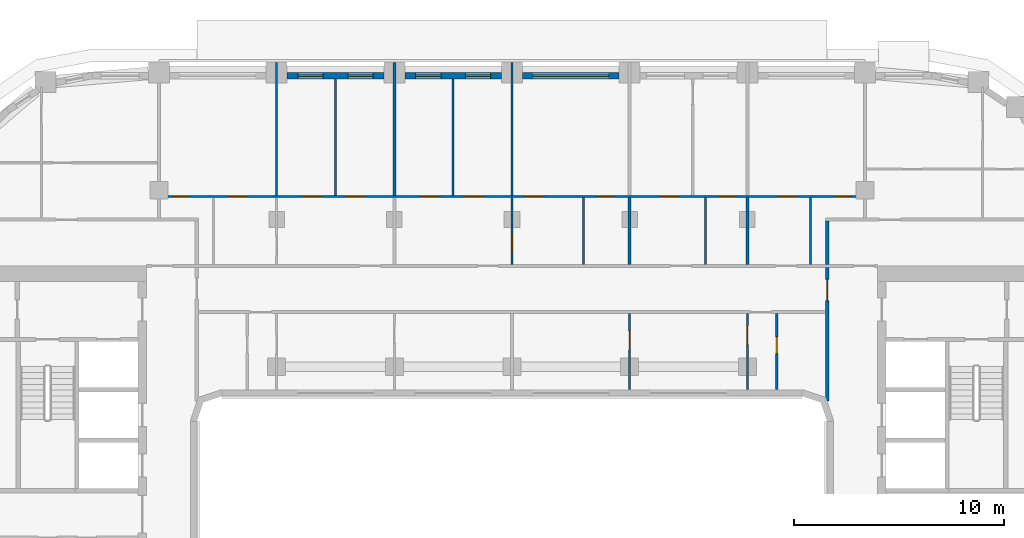
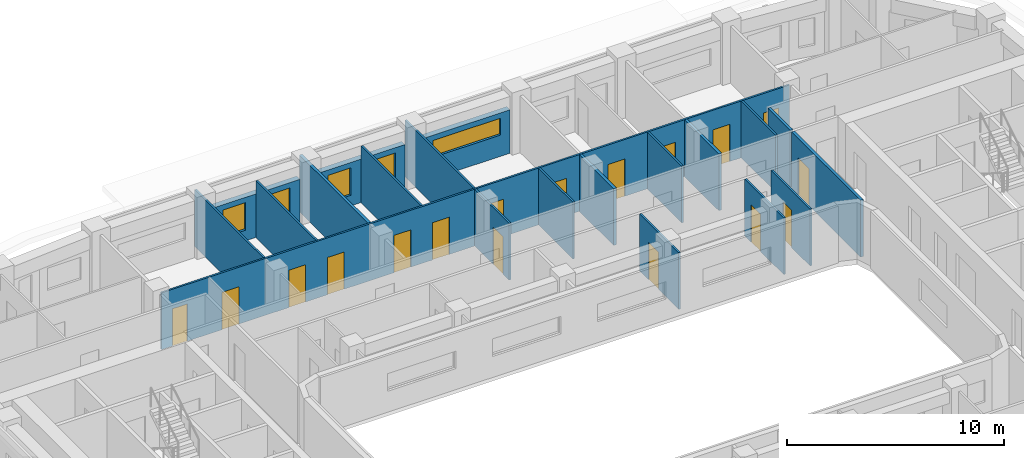
# One storey, part 8 of 22: 20 walls, 17 doors, 5 windows, 22 openings.
"""IFC4 building model written with IfcOpenShell, lengths in metres."""

from ifc_helpers import new_model, si_unit, direction, frame, frame_2d, origin, place, context, subcontext, project, spatial, rectangle, extrude, material, layer, layer_set, type_object, element, fill, save


model = new_model("IFC4")

# Units and contexts
model_context = context("Model", 3, precision=1e-05, world=origin(), true_north=direction((0.0, 1.0)))
body_context = subcontext(model_context, "Body", "Model", "MODEL_VIEW")
ifc_project = project(units=[si_unit("LENGTHUNIT", "METRE"), si_unit("AREAUNIT", "SQUARE_METRE"), si_unit("VOLUMEUNIT", "CUBIC_METRE"), si_unit("PLANEANGLEUNIT", "RADIAN"), si_unit("MASSUNIT", "GRAM", prefix="KILO")], contexts=[model_context])

# Site, building, storey
site_placement = place(None, origin())
site = spatial("IfcSite", under=ifc_project, at=site_placement, CompositionType="ELEMENT")
building_placement = place(site_placement, origin())
building = spatial("IfcBuilding", under=site, at=building_placement, Name="Kiln Ring Residences", CompositionType="ELEMENT")
storey_placement = place(building_placement, frame((0.0, 0.0, 167.60009765625)))
storey = spatial("IfcBuildingStorey", under=building, at=storey_placement, Name="L43", CompositionType="ELEMENT", Elevation=167.60009765625)

# Wall, opening, window
ifc_material_1 = material(Name="Brick masonry, dark clay brick", Category="masonry")
ifc_layer_1 = layer(ifc_material_1, 0.300048828125)
ifc_layer_set_1 = layer_set([ifc_layer_1], Name="EW-300 BRICK WALL")
wall_type_1 = type_object("IfcWallType", Name="EW-300 BRICK WALL", PredefinedType="SOLIDWALL", material=ifc_layer_set_1)
wall_1_placement = place(storey_placement, frame((5.10009765625, 22.25, 0.0), z_axis=(0.0, 0.0, 1.0), x_axis=(-1.0, 0.0, 0.0)))
wall_1 = element("IfcWall", 1, at=wall_1_placement, inside=storey, type_object=wall_type_1, Name="Facade wall L43 31", PredefinedType="SOLIDWALL", context=body_context, shape_type="SweptSolid", body=[
    extrude(rectangle(XDim=4.60009765625, YDim=0.300048828125, at=frame_2d((2.300048828125, 0.0))), origin(), (0.0, 0.0, 1.0), 2.449951171875),
])
opening_1_placement = place(wall_1_placement, frame((0.5, 0.0, 1.199951171875)))
opening_1 = element("IfcOpeningElement", 2, at=opening_1_placement, cuts=wall_1, Name="Opening W4", PredefinedType="OPENING", context=body_context, shape_type="SweptSolid", body=[
    extrude(rectangle(XDim=3.60009765625, YDim=0.949951171875, at=frame_2d((1.800048828125, 0.47509765625))), frame((0.0, 0.159912109375, 0.0), z_axis=(0.0, -1.0, 0.0), x_axis=(1.0, 0.0, 0.0)), (0.0, 0.0, 1.0), 0.320068359375),
])
ifc_material_2 = material(Name="Aluminium frame with double glazing", Category="aluminium")
window_type_1 = type_object("IfcWindowType", Name="WINDOW 3600 x 950", PartitioningType="SINGLE_PANEL", PredefinedType="WINDOW", material=ifc_material_2)
window_1_placement = place(opening_1_placement, origin())
window_1 = element("IfcWindow", 3, at=window_1_placement, inside=storey, type_object=window_type_1, Name="Window L43 20", OverallHeight=0.949951171875, OverallWidth=3.60009765625, PartitioningType="SINGLE_PANEL", PredefinedType="WINDOW", context=body_context, shape_type="SweptSolid", body=[
    extrude(rectangle(XDim=3.60009765625, YDim=0.949951171875, at=frame_2d((1.800048828125, 0.47509765625))), frame((0.0, 0.030029296875, 0.0), z_axis=(0.0, -1.0, 0.0), x_axis=(1.0, 0.0, 0.0)), (0.0, 0.0, 1.0), 0.06005859375),
])
fill(opening_1, window_1)

# Wall, openings, windows
wall_2_placement = place(storey_placement, frame((-0.5, 22.25, 0.0), z_axis=(0.0, 0.0, 1.0), x_axis=(-1.0, 0.0, 0.0)))
wall_2 = element("IfcWall", 4, at=wall_2_placement, inside=storey, type_object=wall_type_1, Name="Facade wall L43 32", PredefinedType="SOLIDWALL", context=body_context, shape_type="SweptSolid", body=[
    extrude(rectangle(XDim=4.60009765625, YDim=0.300048828125, at=frame_2d((2.300048828125, 0.0))), origin(), (0.0, 0.0, 1.0), 2.449951171875),
])
opening_2_placement = place(wall_2_placement, frame((0.512451171875, 0.0, 0.60009765625)))
opening_2 = element("IfcOpeningElement", 5, at=opening_2_placement, cuts=wall_2, Name="Opening W1", PredefinedType="OPENING", context=body_context, shape_type="SweptSolid", body=[
    extrude(rectangle(XDim=1.199951171875, YDim=1.550048828125, at=frame_2d((0.60009765625, 0.77490234375))), frame((0.0, 0.159912109375, 0.0), z_axis=(0.0, -1.0, 0.0), x_axis=(1.0, 0.0, 0.0)), (0.0, 0.0, 1.0), 0.320068359375),
])
opening_3_placement = place(wall_2_placement, frame((2.887451171875, 0.0, 0.60009765625)))
opening_3 = element("IfcOpeningElement", 6, at=opening_3_placement, cuts=wall_2, Name="Opening W1", PredefinedType="OPENING", context=body_context, shape_type="SweptSolid", body=[
    extrude(rectangle(XDim=1.199951171875, YDim=1.550048828125, at=frame_2d((0.60009765625, 0.77490234375))), frame((0.0, 0.159912109375, 0.0), z_axis=(0.0, -1.0, 0.0), x_axis=(1.0, 0.0, 0.0)), (0.0, 0.0, 1.0), 0.320068359375),
])
ifc_material_3 = material(Name="Aluminium frame with double glazing", Category="aluminium")
window_type_2 = type_object("IfcWindowType", Name="WINDOW 1200 x 1550", PartitioningType="SINGLE_PANEL", PredefinedType="WINDOW", material=ifc_material_3)
window_2_placement = place(opening_2_placement, origin())
window_2 = element("IfcWindow", 7, at=window_2_placement, inside=storey, type_object=window_type_2, Name="Window L43 21", OverallHeight=1.550048828125, OverallWidth=1.199951171875, PartitioningType="SINGLE_PANEL", PredefinedType="WINDOW", context=body_context, shape_type="SweptSolid", body=[
    extrude(rectangle(XDim=1.199951171875, YDim=1.550048828125, at=frame_2d((0.60009765625, 0.77490234375))), frame((0.0, 0.030029296875, 0.0), z_axis=(0.0, -1.0, 0.0), x_axis=(1.0, 0.0, 0.0)), (0.0, 0.0, 1.0), 0.06005859375),
])
fill(opening_2, window_2)
window_3_placement = place(opening_3_placement, origin())
window_3 = element("IfcWindow", 8, at=window_3_placement, inside=storey, type_object=window_type_2, Name="Window L43 22", OverallHeight=1.550048828125, OverallWidth=1.199951171875, PartitioningType="SINGLE_PANEL", PredefinedType="WINDOW", context=body_context, shape_type="SweptSolid", body=[
    extrude(rectangle(XDim=1.199951171875, YDim=1.550048828125, at=frame_2d((0.60009765625, 0.77490234375))), frame((0.0, 0.030029296875, 0.0), z_axis=(0.0, -1.0, 0.0), x_axis=(1.0, 0.0, 0.0)), (0.0, 0.0, 1.0), 0.06005859375),
])
fill(opening_3, window_3)

wall_3_placement = place(storey_placement, frame((-6.10009765625, 22.25, 0.0), z_axis=(0.0, 0.0, 1.0), x_axis=(-1.0, 0.0, 0.0)))
wall_3 = element("IfcWall", 9, at=wall_3_placement, inside=storey, type_object=wall_type_1, Name="Facade wall L43 33", PredefinedType="SOLIDWALL", context=body_context, shape_type="SweptSolid", body=[
    extrude(rectangle(XDim=4.599853515625, YDim=0.300048828125, at=frame_2d((2.2998046875, 0.0))), origin(), (0.0, 0.0, 1.0), 2.449951171875),
])
opening_4_placement = place(wall_3_placement, frame((0.512451171875, 0.0, 0.60009765625)))
opening_4 = element("IfcOpeningElement", 10, at=opening_4_placement, cuts=wall_3, Name="Opening W1", PredefinedType="OPENING", context=body_context, shape_type="SweptSolid", body=[
    extrude(rectangle(XDim=1.199951171875, YDim=1.550048828125, at=frame_2d((0.60009765625, 0.77490234375))), frame((0.0, 0.159912109375, 0.0), z_axis=(0.0, -1.0, 0.0), x_axis=(1.0, 0.0, 0.0)), (0.0, 0.0, 1.0), 0.320068359375),
])
opening_5_placement = place(wall_3_placement, frame((2.887451171875, 0.0, 0.60009765625)))
opening_5 = element("IfcOpeningElement", 11, at=opening_5_placement, cuts=wall_3, Name="Opening W1", PredefinedType="OPENING", context=body_context, shape_type="SweptSolid", body=[
    extrude(rectangle(XDim=1.199951171875, YDim=1.550048828125, at=frame_2d((0.60009765625, 0.77490234375))), frame((0.0, 0.159912109375, 0.0), z_axis=(0.0, -1.0, 0.0), x_axis=(1.0, 0.0, 0.0)), (0.0, 0.0, 1.0), 0.320068359375),
])
window_4_placement = place(opening_4_placement, origin())
window_4 = element("IfcWindow", 12, at=window_4_placement, inside=storey, type_object=window_type_2, Name="Window L43 23", OverallHeight=1.550048828125, OverallWidth=1.199951171875, PartitioningType="SINGLE_PANEL", PredefinedType="WINDOW", context=body_context, shape_type="SweptSolid", body=[
    extrude(rectangle(XDim=1.199951171875, YDim=1.550048828125, at=frame_2d((0.60009765625, 0.77490234375))), frame((0.0, 0.030029296875, 0.0), z_axis=(0.0, -1.0, 0.0), x_axis=(1.0, 0.0, 0.0)), (0.0, 0.0, 1.0), 0.06005859375),
])
fill(opening_4, window_4)
window_5_placement = place(opening_5_placement, origin())
window_5 = element("IfcWindow", 13, at=window_5_placement, inside=storey, type_object=window_type_2, Name="Window L43 24", OverallHeight=1.550048828125, OverallWidth=1.199951171875, PartitioningType="SINGLE_PANEL", PredefinedType="WINDOW", context=body_context, shape_type="SweptSolid", body=[
    extrude(rectangle(XDim=1.199951171875, YDim=1.550048828125, at=frame_2d((0.60009765625, 0.77490234375))), frame((0.0, 0.030029296875, 0.0), z_axis=(0.0, -1.0, 0.0), x_axis=(1.0, 0.0, 0.0)), (0.0, 0.0, 1.0), 0.06005859375),
])
fill(opening_5, window_5)

# Wall, openings, doors
ifc_material_4 = material(Name="Gypsum board on steel studs", Category="steel")
ifc_layer_2 = layer(ifc_material_4, 0.10009765625)
ifc_layer_set_2 = layer_set([ifc_layer_2], Name="PARTITION-100")
wall_type_2 = type_object("IfcWallType", Name="PARTITION-100", PredefinedType="PARTITIONING", material=ifc_layer_set_2)
wall_4_placement = place(storey_placement, frame((-16.72509765625, 16.5, 0.0), z_axis=(0.0, 0.0, 1.0), x_axis=(1.0, 0.0, 0.0)))
wall_4 = element("IfcWall", 14, at=wall_4_placement, inside=storey, type_object=wall_type_2, Name="Partition 011", PredefinedType="PARTITIONING", context=body_context, shape_type="SweptSolid", body=[
    extrude(rectangle(XDim=33.4501953125, YDim=0.10009765625, at=frame_2d((16.72509765625, 0.0))), origin(), (0.0, 0.0, 1.0), 3.199951171875),
])
opening_6_placement = place(wall_4_placement, frame((0.574951171875, 0.0, 0.0)))
opening_6 = element("IfcOpeningElement", 15, at=opening_6_placement, cuts=wall_4, Name="Opening L43-D019", PredefinedType="OPENING", context=body_context, shape_type="SweptSolid", body=[
    extrude(rectangle(XDim=0.800048828125, YDim=2.10009765625, at=frame_2d((0.39990234375, 1.050048828125))), frame((0.0, 0.06005859375, 0.0), z_axis=(0.0, -1.0, 0.0), x_axis=(1.0, 0.0, 0.0)), (0.0, 0.0, 1.0), 0.1201171875),
])
opening_7_placement = place(wall_4_placement, frame((3.22509765625, 0.0, 0.0)))
opening_7 = element("IfcOpeningElement", 16, at=opening_7_placement, cuts=wall_4, Name="Opening L43-D020", PredefinedType="OPENING", context=body_context, shape_type="SweptSolid", body=[
    extrude(rectangle(XDim=0.89990234375, YDim=2.10009765625, at=frame_2d((0.449951171875, 1.050048828125))), frame((0.0, 0.06005859375, 0.0), z_axis=(0.0, -1.0, 0.0), x_axis=(1.0, 0.0, 0.0)), (0.0, 0.0, 1.0), 0.1201171875),
])
opening_8_placement = place(wall_4_placement, frame((6.77490234375, 0.0, 0.0)))
opening_8 = element("IfcOpeningElement", 17, at=opening_8_placement, cuts=wall_4, Name="Opening L43-D021", PredefinedType="OPENING", context=body_context, shape_type="SweptSolid", body=[
    extrude(rectangle(XDim=0.89990234375, YDim=2.10009765625, at=frame_2d((0.449951171875, 1.050048828125))), frame((0.0, 0.06005859375, 0.0), z_axis=(0.0, -1.0, 0.0), x_axis=(1.0, 0.0, 0.0)), (0.0, 0.0, 1.0), 0.1201171875),
])
opening_9_placement = place(wall_4_placement, frame((8.824951171875, 0.0, 0.0)))
opening_9 = element("IfcOpeningElement", 18, at=opening_9_placement, cuts=wall_4, Name="Opening L43-D022", PredefinedType="OPENING", context=body_context, shape_type="SweptSolid", body=[
    extrude(rectangle(XDim=0.89990234375, YDim=2.10009765625, at=frame_2d((0.449951171875, 1.050048828125))), frame((0.0, 0.06005859375, 0.0), z_axis=(0.0, -1.0, 0.0), x_axis=(1.0, 0.0, 0.0)), (0.0, 0.0, 1.0), 0.1201171875),
])
opening_10_placement = place(wall_4_placement, frame((20.77490234375, 0.0, 0.0)))
opening_10 = element("IfcOpeningElement", 19, at=opening_10_placement, cuts=wall_4, Name="Opening L43-D025", PredefinedType="OPENING", context=body_context, shape_type="SweptSolid", body=[
    extrude(rectangle(XDim=0.800048828125, YDim=2.10009765625, at=frame_2d((0.39990234375, 1.050048828125))), frame((0.0, 0.06005859375, 0.0), z_axis=(0.0, -1.0, 0.0), x_axis=(1.0, 0.0, 0.0)), (0.0, 0.0, 1.0), 0.1201171875),
])
opening_11_placement = place(wall_4_placement, frame((17.324951171875, 0.0, 0.0)))
opening_11 = element("IfcOpeningElement", 20, at=opening_11_placement, cuts=wall_4, Name="Opening L43-D026", PredefinedType="OPENING", context=body_context, shape_type="SweptSolid", body=[
    extrude(rectangle(XDim=0.89990234375, YDim=2.10009765625, at=frame_2d((0.449951171875, 1.050048828125))), frame((0.0, 0.06005859375, 0.0), z_axis=(0.0, -1.0, 0.0), x_axis=(1.0, 0.0, 0.0)), (0.0, 0.0, 1.0), 0.1201171875),
])
opening_12_placement = place(wall_4_placement, frame((12.375, 0.0, 0.0)))
opening_12 = element("IfcOpeningElement", 21, at=opening_12_placement, cuts=wall_4, Name="Opening L43-D027", PredefinedType="OPENING", context=body_context, shape_type="SweptSolid", body=[
    extrude(rectangle(XDim=0.89990234375, YDim=2.10009765625, at=frame_2d((0.449951171875, 1.050048828125))), frame((0.0, 0.06005859375, 0.0), z_axis=(0.0, -1.0, 0.0), x_axis=(1.0, 0.0, 0.0)), (0.0, 0.0, 1.0), 0.1201171875),
])
opening_13_placement = place(wall_4_placement, frame((14.425048828125, 0.0, 0.0)))
opening_13 = element("IfcOpeningElement", 22, at=opening_13_placement, cuts=wall_4, Name="Opening L43-D028", PredefinedType="OPENING", context=body_context, shape_type="SweptSolid", body=[
    extrude(rectangle(XDim=0.89990234375, YDim=2.10009765625, at=frame_2d((0.449951171875, 1.050048828125))), frame((0.0, 0.06005859375, 0.0), z_axis=(0.0, -1.0, 0.0), x_axis=(1.0, 0.0, 0.0)), (0.0, 0.0, 1.0), 0.1201171875),
])
opening_14_placement = place(wall_4_placement, frame((26.574951171875, 0.0, 0.0)))
opening_14 = element("IfcOpeningElement", 23, at=opening_14_placement, cuts=wall_4, Name="Opening L43-D030", PredefinedType="OPENING", context=body_context, shape_type="SweptSolid", body=[
    extrude(rectangle(XDim=0.800048828125, YDim=2.10009765625, at=frame_2d((0.39990234375, 1.050048828125))), frame((0.0, 0.06005859375, 0.0), z_axis=(0.0, -1.0, 0.0), x_axis=(1.0, 0.0, 0.0)), (0.0, 0.0, 1.0), 0.1201171875),
])
opening_15_placement = place(wall_4_placement, frame((23.77490234375, 0.0, 0.0)))
opening_15 = element("IfcOpeningElement", 24, at=opening_15_placement, cuts=wall_4, Name="Opening L43-D031", PredefinedType="OPENING", context=body_context, shape_type="SweptSolid", body=[
    extrude(rectangle(XDim=0.89990234375, YDim=2.10009765625, at=frame_2d((0.449951171875, 1.050048828125))), frame((0.0, 0.06005859375, 0.0), z_axis=(0.0, -1.0, 0.0), x_axis=(1.0, 0.0, 0.0)), (0.0, 0.0, 1.0), 0.1201171875),
])
opening_16_placement = place(wall_4_placement, frame((32.074951171875, 0.0, 0.0)))
opening_16 = element("IfcOpeningElement", 25, at=opening_16_placement, cuts=wall_4, Name="Opening L43-D034", PredefinedType="OPENING", context=body_context, shape_type="SweptSolid", body=[
    extrude(rectangle(XDim=0.800048828125, YDim=2.10009765625, at=frame_2d((0.39990234375, 1.050048828125))), frame((0.0, 0.06005859375, 0.0), z_axis=(0.0, -1.0, 0.0), x_axis=(1.0, 0.0, 0.0)), (0.0, 0.0, 1.0), 0.1201171875),
])
opening_17_placement = place(wall_4_placement, frame((29.375, 0.0, 0.0)))
opening_17 = element("IfcOpeningElement", 26, at=opening_17_placement, cuts=wall_4, Name="Opening L43-D035", PredefinedType="OPENING", context=body_context, shape_type="SweptSolid", body=[
    extrude(rectangle(XDim=0.89990234375, YDim=2.10009765625, at=frame_2d((0.449951171875, 1.050048828125))), frame((0.0, 0.06005859375, 0.0), z_axis=(0.0, -1.0, 0.0), x_axis=(1.0, 0.0, 0.0)), (0.0, 0.0, 1.0), 0.1201171875),
])
ifc_material_5 = material(Name="Timber door leaf", Category="wood")
door_type_1 = type_object("IfcDoorType", Name="FLAT-DOOR-800-PL", OperationType="SINGLE_SWING_LEFT", PredefinedType="DOOR", material=ifc_material_5)
door_1_placement = place(opening_6_placement, origin())
door_1 = element("IfcDoor", 27, at=door_1_placement, inside=storey, type_object=door_type_1, Name="Door L43-D019", OperationType="SINGLE_SWING_LEFT", OverallHeight=2.10009765625, OverallWidth=0.800048828125, PredefinedType="DOOR", context=body_context, shape_type="SweptSolid", body=[
    extrude(rectangle(XDim=0.800048828125, YDim=2.10009765625, at=frame_2d((0.39990234375, 1.050048828125))), frame((0.0, 0.02490234375, 0.0), z_axis=(0.0, -1.0, 0.0), x_axis=(1.0, 0.0, 0.0)), (0.0, 0.0, 1.0), 0.050048828125),
])
fill(opening_6, door_1)
door_2_placement = place(opening_10_placement, origin())
door_2 = element("IfcDoor", 28, at=door_2_placement, inside=storey, type_object=door_type_1, Name="Door L43-D025", OperationType="SINGLE_SWING_LEFT", OverallHeight=2.10009765625, OverallWidth=0.800048828125, PredefinedType="DOOR", context=body_context, shape_type="SweptSolid", body=[
    extrude(rectangle(XDim=0.800048828125, YDim=2.10009765625, at=frame_2d((0.39990234375, 1.050048828125))), frame((0.0, 0.02490234375, 0.0), z_axis=(0.0, -1.0, 0.0), x_axis=(1.0, 0.0, 0.0)), (0.0, 0.0, 1.0), 0.050048828125),
])
fill(opening_10, door_2)
door_3_placement = place(opening_14_placement, origin())
door_3 = element("IfcDoor", 29, at=door_3_placement, inside=storey, type_object=door_type_1, Name="Door L43-D030", OperationType="SINGLE_SWING_RIGHT", OverallHeight=2.10009765625, OverallWidth=0.800048828125, PredefinedType="DOOR", context=body_context, shape_type="SweptSolid", body=[
    extrude(rectangle(XDim=0.800048828125, YDim=2.10009765625, at=frame_2d((0.39990234375, 1.050048828125))), frame((0.0, 0.02490234375, 0.0), z_axis=(0.0, -1.0, 0.0), x_axis=(1.0, 0.0, 0.0)), (0.0, 0.0, 1.0), 0.050048828125),
])
fill(opening_14, door_3)
door_4_placement = place(opening_16_placement, origin())
door_4 = element("IfcDoor", 30, at=door_4_placement, inside=storey, type_object=door_type_1, Name="Door L43-D034", OperationType="SINGLE_SWING_RIGHT", OverallHeight=2.10009765625, OverallWidth=0.800048828125, PredefinedType="DOOR", context=body_context, shape_type="SweptSolid", body=[
    extrude(rectangle(XDim=0.800048828125, YDim=2.10009765625, at=frame_2d((0.39990234375, 1.050048828125))), frame((0.0, 0.02490234375, 0.0), z_axis=(0.0, -1.0, 0.0), x_axis=(1.0, 0.0, 0.0)), (0.0, 0.0, 1.0), 0.050048828125),
])
fill(opening_16, door_4)
ifc_material_6 = material(Name="Timber door leaf", Category="wood")
door_type_2 = type_object("IfcDoorType", Name="FLAT-DOOR-900-PL", OperationType="SINGLE_SWING_LEFT", PredefinedType="DOOR", material=ifc_material_6)
door_5_placement = place(opening_7_placement, origin())
door_5 = element("IfcDoor", 31, at=door_5_placement, inside=storey, type_object=door_type_2, Name="Door L43-D020", OperationType="SINGLE_SWING_RIGHT", OverallHeight=2.10009765625, OverallWidth=0.89990234375, PredefinedType="DOOR", context=body_context, shape_type="SweptSolid", body=[
    extrude(rectangle(XDim=0.89990234375, YDim=2.10009765625, at=frame_2d((0.449951171875, 1.050048828125))), frame((0.0, 0.02490234375, 0.0), z_axis=(0.0, -1.0, 0.0), x_axis=(1.0, 0.0, 0.0)), (0.0, 0.0, 1.0), 0.050048828125),
])
fill(opening_7, door_5)
door_6_placement = place(opening_8_placement, origin())
door_6 = element("IfcDoor", 32, at=door_6_placement, inside=storey, type_object=door_type_2, Name="Door L43-D021", OperationType="SINGLE_SWING_LEFT", OverallHeight=2.10009765625, OverallWidth=0.89990234375, PredefinedType="DOOR", context=body_context, shape_type="SweptSolid", body=[
    extrude(rectangle(XDim=0.89990234375, YDim=2.10009765625, at=frame_2d((0.449951171875, 1.050048828125))), frame((0.0, 0.02490234375, 0.0), z_axis=(0.0, -1.0, 0.0), x_axis=(1.0, 0.0, 0.0)), (0.0, 0.0, 1.0), 0.050048828125),
])
fill(opening_8, door_6)
door_7_placement = place(opening_9_placement, origin())
door_7 = element("IfcDoor", 33, at=door_7_placement, inside=storey, type_object=door_type_2, Name="Door L43-D022", OperationType="SINGLE_SWING_RIGHT", OverallHeight=2.10009765625, OverallWidth=0.89990234375, PredefinedType="DOOR", context=body_context, shape_type="SweptSolid", body=[
    extrude(rectangle(XDim=0.89990234375, YDim=2.10009765625, at=frame_2d((0.449951171875, 1.050048828125))), frame((0.0, 0.02490234375, 0.0), z_axis=(0.0, -1.0, 0.0), x_axis=(1.0, 0.0, 0.0)), (0.0, 0.0, 1.0), 0.050048828125),
])
fill(opening_9, door_7)
door_8_placement = place(opening_11_placement, origin())
door_8 = element("IfcDoor", 34, at=door_8_placement, inside=storey, type_object=door_type_2, Name="Door L43-D026", OperationType="SINGLE_SWING_RIGHT", OverallHeight=2.10009765625, OverallWidth=0.89990234375, PredefinedType="DOOR", context=body_context, shape_type="SweptSolid", body=[
    extrude(rectangle(XDim=0.89990234375, YDim=2.10009765625, at=frame_2d((0.449951171875, 1.050048828125))), frame((0.0, 0.02490234375, 0.0), z_axis=(0.0, -1.0, 0.0), x_axis=(1.0, 0.0, 0.0)), (0.0, 0.0, 1.0), 0.050048828125),
])
fill(opening_11, door_8)
door_9_placement = place(opening_12_placement, origin())
door_9 = element("IfcDoor", 35, at=door_9_placement, inside=storey, type_object=door_type_2, Name="Door L43-D027", OperationType="SINGLE_SWING_LEFT", OverallHeight=2.10009765625, OverallWidth=0.89990234375, PredefinedType="DOOR", context=body_context, shape_type="SweptSolid", body=[
    extrude(rectangle(XDim=0.89990234375, YDim=2.10009765625, at=frame_2d((0.449951171875, 1.050048828125))), frame((0.0, 0.02490234375, 0.0), z_axis=(0.0, -1.0, 0.0), x_axis=(1.0, 0.0, 0.0)), (0.0, 0.0, 1.0), 0.050048828125),
])
fill(opening_12, door_9)
door_10_placement = place(opening_13_placement, origin())
door_10 = element("IfcDoor", 36, at=door_10_placement, inside=storey, type_object=door_type_2, Name="Door L43-D028", OperationType="SINGLE_SWING_RIGHT", OverallHeight=2.10009765625, OverallWidth=0.89990234375, PredefinedType="DOOR", context=body_context, shape_type="SweptSolid", body=[
    extrude(rectangle(XDim=0.89990234375, YDim=2.10009765625, at=frame_2d((0.449951171875, 1.050048828125))), frame((0.0, 0.02490234375, 0.0), z_axis=(0.0, -1.0, 0.0), x_axis=(1.0, 0.0, 0.0)), (0.0, 0.0, 1.0), 0.050048828125),
])
fill(opening_13, door_10)
door_11_placement = place(opening_15_placement, origin())
door_11 = element("IfcDoor", 37, at=door_11_placement, inside=storey, type_object=door_type_2, Name="Door L43-D031", OperationType="SINGLE_SWING_LEFT", OverallHeight=2.10009765625, OverallWidth=0.89990234375, PredefinedType="DOOR", context=body_context, shape_type="SweptSolid", body=[
    extrude(rectangle(XDim=0.89990234375, YDim=2.10009765625, at=frame_2d((0.449951171875, 1.050048828125))), frame((0.0, 0.02490234375, 0.0), z_axis=(0.0, -1.0, 0.0), x_axis=(1.0, 0.0, 0.0)), (0.0, 0.0, 1.0), 0.050048828125),
])
fill(opening_15, door_11)
door_12_placement = place(opening_17_placement, origin())
door_12 = element("IfcDoor", 38, at=door_12_placement, inside=storey, type_object=door_type_2, Name="Door L43-D035", OperationType="SINGLE_SWING_LEFT", OverallHeight=2.10009765625, OverallWidth=0.89990234375, PredefinedType="DOOR", context=body_context, shape_type="SweptSolid", body=[
    extrude(rectangle(XDim=0.89990234375, YDim=2.10009765625, at=frame_2d((0.449951171875, 1.050048828125))), frame((0.0, 0.02490234375, 0.0), z_axis=(0.0, -1.0, 0.0), x_axis=(1.0, 0.0, 0.0)), (0.0, 0.0, 1.0), 0.050048828125),
])
fill(opening_17, door_12)

# Walls
wall_5_placement = place(storey_placement, frame((-11.199951171875, 16.550048828125, 0.0), z_axis=(0.0, 0.0, 1.0), x_axis=(0.0, 1.0, 0.0)))
element("IfcWall", 39, at=wall_5_placement, inside=storey, type_object=wall_type_2, Name="Partition 031", PredefinedType="PARTITIONING", context=body_context, shape_type="SweptSolid", body=[
    extrude(rectangle(XDim=6.329833984375, YDim=0.10009765625, at=frame_2d((3.1650390625, 0.0))), origin(), (0.0, 0.0, 1.0), 3.199951171875),
])
for number, where, z_axis, x_axis, name in (
    (40, (-8.39990234375, 16.550048828125, 0.0), (0.0, 0.0, 1.0), (0.0, 1.0, 0.0), "Partition 032"),
    (41, (-2.800048828125, 16.550048828125, 0.0), (0.0, 0.0, 1.0), (0.0, 1.0, 0.0), "Partition 039"),
):
    element("IfcWall", number, at=place(storey_placement, frame(where, z_axis=z_axis, x_axis=x_axis)), inside=storey, type_object=wall_type_2, Name=name, PredefinedType="PARTITIONING", context=body_context, shape_type="SweptSolid", body=[
        extrude(rectangle(XDim=5.530029296875, YDim=0.10009765625, at=frame_2d((2.76513671875, 0.0))), origin(), (0.0, 0.0, 1.0), 3.199951171875),
    ])

# Wall, opening, door
wall_6_placement = place(storey_placement, frame((0.0, 13.27490234375, 0.0), z_axis=(0.0, 0.0, 1.0), x_axis=(0.0, 1.0, 0.0)))
wall_6 = element("IfcWall", 42, at=wall_6_placement, inside=storey, type_object=wall_type_2, Name="Partition 043", PredefinedType="PARTITIONING", context=body_context, shape_type="SweptSolid", body=[
    extrude(rectangle(XDim=3.175048828125, YDim=0.10009765625, at=frame_2d((1.58740234375, 0.0))), origin(), (0.0, 0.0, 1.0), 3.199951171875),
])
opening_18_placement = place(wall_6_placement, frame((0.575927734375, 0.0, 0.0)))
opening_18 = element("IfcOpeningElement", 43, at=opening_18_placement, cuts=wall_6, Name="Opening L43-D024", PredefinedType="OPENING", context=body_context, shape_type="SweptSolid", body=[
    extrude(rectangle(XDim=0.89990234375, YDim=2.10009765625, at=frame_2d((0.449951171875, 1.050048828125))), frame((0.0, 0.06005859375, 0.0), z_axis=(0.0, -1.0, 0.0), x_axis=(1.0, 0.0, 0.0)), (0.0, 0.0, 1.0), 0.1201171875),
])
door_13_placement = place(opening_18_placement, origin())
door_13 = element("IfcDoor", 44, at=door_13_placement, inside=storey, type_object=door_type_2, Name="Door L43-D024", OperationType="SINGLE_SWING_LEFT", OverallHeight=2.10009765625, OverallWidth=0.89990234375, PredefinedType="DOOR", context=body_context, shape_type="SweptSolid", body=[
    extrude(rectangle(XDim=0.89990234375, YDim=2.10009765625, at=frame_2d((0.449951171875, 1.050048828125))), frame((0.0, 0.02490234375, 0.0), z_axis=(0.0, -1.0, 0.0), x_axis=(1.0, 0.0, 0.0)), (0.0, 0.0, 1.0), 0.050048828125),
])
fill(opening_18, door_13)

# Walls
wall_7_placement = place(storey_placement, frame((0.0, 16.550048828125, 0.0), z_axis=(0.0, 0.0, 1.0), x_axis=(0.0, 1.0, 0.0)))
element("IfcWall", 45, at=wall_7_placement, inside=storey, type_object=wall_type_2, Name="Partition 044", PredefinedType="PARTITIONING", context=body_context, shape_type="SweptSolid", body=[
    extrude(rectangle(XDim=6.329833984375, YDim=0.10009765625, at=frame_2d((3.1650390625, 0.0))), origin(), (0.0, 0.0, 1.0), 3.199951171875),
])
wall_8_placement = place(storey_placement, frame((3.39990234375, 13.27490234375, 0.0), z_axis=(0.0, 0.0, 1.0), x_axis=(0.0, 1.0, 0.0)))
element("IfcWall", 46, at=wall_8_placement, inside=storey, type_object=wall_type_2, Name="Partition 048", PredefinedType="PARTITIONING", context=body_context, shape_type="SweptSolid", body=[
    extrude(rectangle(XDim=3.175048828125, YDim=0.10009765625, at=frame_2d((1.58740234375, 0.0))), origin(), (0.0, 0.0, 1.0), 3.199951171875),
])

# Wall, opening, door
wall_9_placement = place(storey_placement, frame((5.60009765625, 7.320068359375, 0.0), z_axis=(0.0, 0.0, 1.0), x_axis=(0.0, 1.0, 0.0)))
wall_9 = element("IfcWall", 47, at=wall_9_placement, inside=storey, type_object=wall_type_2, Name="Partition 050", PredefinedType="PARTITIONING", context=body_context, shape_type="SweptSolid", body=[
    extrude(rectangle(XDim=3.60498046875, YDim=0.10009765625, at=frame_2d((1.802490234375, 0.0))), origin(), (0.0, 0.0, 1.0), 3.199951171875),
])
opening_19_placement = place(wall_9_placement, frame((1.87890625, 0.0, 0.0)))
opening_19 = element("IfcOpeningElement", 48, at=opening_19_placement, cuts=wall_9, Name="Opening L43-D016", PredefinedType="OPENING", context=body_context, shape_type="SweptSolid", body=[
    extrude(rectangle(XDim=0.89990234375, YDim=2.10009765625, at=frame_2d((0.449951171875, 1.050048828125))), frame((0.0, 0.06005859375, 0.0), z_axis=(0.0, -1.0, 0.0), x_axis=(1.0, 0.0, 0.0)), (0.0, 0.0, 1.0), 0.1201171875),
])
door_14_placement = place(opening_19_placement, origin())
door_14 = element("IfcDoor", 49, at=door_14_placement, inside=storey, type_object=door_type_2, Name="Door L43-D016", OperationType="SINGLE_SWING_LEFT", OverallHeight=2.10009765625, OverallWidth=0.89990234375, PredefinedType="DOOR", context=body_context, shape_type="SweptSolid", body=[
    extrude(rectangle(XDim=0.89990234375, YDim=2.10009765625, at=frame_2d((0.449951171875, 1.050048828125))), frame((0.0, 0.02490234375, 0.0), z_axis=(0.0, -1.0, 0.0), x_axis=(1.0, 0.0, 0.0)), (0.0, 0.0, 1.0), 0.050048828125),
])
fill(opening_19, door_14)

# Wall
wall_10_placement = place(storey_placement, frame((9.199951171875, 13.27490234375, 0.0), z_axis=(0.0, 0.0, 1.0), x_axis=(0.0, 1.0, 0.0)))
element("IfcWall", 50, at=wall_10_placement, inside=storey, type_object=wall_type_2, Name="Partition 056", PredefinedType="PARTITIONING", context=body_context, shape_type="SweptSolid", body=[
    extrude(rectangle(XDim=3.175048828125, YDim=0.10009765625, at=frame_2d((1.58740234375, 0.0))), origin(), (0.0, 0.0, 1.0), 3.199951171875),
])

# Wall, opening, door
wall_11_placement = place(storey_placement, frame((11.199951171875, 7.320068359375, 0.0), z_axis=(0.0, 0.0, 1.0), x_axis=(0.0, 1.0, 0.0)))
wall_11 = element("IfcWall", 51, at=wall_11_placement, inside=storey, type_object=wall_type_2, Name="Partition 060", PredefinedType="PARTITIONING", context=body_context, shape_type="SweptSolid", body=[
    extrude(rectangle(XDim=3.60498046875, YDim=0.10009765625, at=frame_2d((1.802490234375, 0.0))), origin(), (0.0, 0.0, 1.0), 3.199951171875),
])
opening_20_placement = place(wall_11_placement, frame((2.12890625, 0.0, 0.0)))
opening_20 = element("IfcOpeningElement", 52, at=opening_20_placement, cuts=wall_11, Name="Opening L43-D015", PredefinedType="OPENING", context=body_context, shape_type="SweptSolid", body=[
    extrude(rectangle(XDim=0.89990234375, YDim=2.10009765625, at=frame_2d((0.449951171875, 1.050048828125))), frame((0.0, 0.06005859375, 0.0), z_axis=(0.0, -1.0, 0.0), x_axis=(1.0, 0.0, 0.0)), (0.0, 0.0, 1.0), 0.1201171875),
])
door_15_placement = place(opening_20_placement, origin())
door_15 = element("IfcDoor", 53, at=door_15_placement, inside=storey, type_object=door_type_2, Name="Door L43-D015", OperationType="SINGLE_SWING_LEFT", OverallHeight=2.10009765625, OverallWidth=0.89990234375, PredefinedType="DOOR", context=body_context, shape_type="SweptSolid", body=[
    extrude(rectangle(XDim=0.89990234375, YDim=2.10009765625, at=frame_2d((0.449951171875, 1.050048828125))), frame((0.0, 0.02490234375, 0.0), z_axis=(0.0, -1.0, 0.0), x_axis=(1.0, 0.0, 0.0)), (0.0, 0.0, 1.0), 0.050048828125),
])
fill(opening_20, door_15)

wall_12_placement = place(storey_placement, frame((12.60009765625, 7.320068359375, 0.0), z_axis=(0.0, 0.0, 1.0), x_axis=(0.0, 1.0, 0.0)))
wall_12 = element("IfcWall", 54, at=wall_12_placement, inside=storey, type_object=wall_type_2, Name="Partition 063", PredefinedType="PARTITIONING", context=body_context, shape_type="SweptSolid", body=[
    extrude(rectangle(XDim=3.60498046875, YDim=0.10009765625, at=frame_2d((1.802490234375, 0.0))), origin(), (0.0, 0.0, 1.0), 3.199951171875),
])
opening_21_placement = place(wall_12_placement, frame((1.699951171875, 0.0, 0.0)))
opening_21 = element("IfcOpeningElement", 55, at=opening_21_placement, cuts=wall_12, Name="Opening L43-D014", PredefinedType="OPENING", context=body_context, shape_type="SweptSolid", body=[
    extrude(rectangle(XDim=0.800048828125, YDim=2.10009765625, at=frame_2d((0.39990234375, 1.050048828125))), frame((0.0, 0.06005859375, 0.0), z_axis=(0.0, -1.0, 0.0), x_axis=(1.0, 0.0, 0.0)), (0.0, 0.0, 1.0), 0.1201171875),
])
door_16_placement = place(opening_21_placement, origin())
door_16 = element("IfcDoor", 56, at=door_16_placement, inside=storey, type_object=door_type_1, Name="Door L43-D014", OperationType="SINGLE_SWING_RIGHT", OverallHeight=2.10009765625, OverallWidth=0.800048828125, PredefinedType="DOOR", context=body_context, shape_type="SweptSolid", body=[
    extrude(rectangle(XDim=0.800048828125, YDim=2.10009765625, at=frame_2d((0.39990234375, 1.050048828125))), frame((0.0, 0.02490234375, 0.0), z_axis=(0.0, -1.0, 0.0), x_axis=(1.0, 0.0, 0.0)), (0.0, 0.0, 1.0), 0.050048828125),
])
fill(opening_21, door_16)

# Walls
wall_13_placement = place(storey_placement, frame((14.199951171875, 13.27490234375, 0.0), z_axis=(0.0, 0.0, 1.0), x_axis=(0.0, 1.0, 0.0)))
element("IfcWall", 57, at=wall_13_placement, inside=storey, type_object=wall_type_2, Name="Partition 064", PredefinedType="PARTITIONING", context=body_context, shape_type="SweptSolid", body=[
    extrude(rectangle(XDim=3.175048828125, YDim=0.10009765625, at=frame_2d((1.58740234375, 0.0))), origin(), (0.0, 0.0, 1.0), 3.199951171875),
])
ifc_material_7 = material(Name="Brick masonry partition", Category="masonry")
ifc_layer_3 = layer(ifc_material_7, 0.14990234375)
ifc_layer_set_3 = layer_set([ifc_layer_3], Name="PARTITION-150-ei60")
wall_type_3 = type_object("IfcWallType", Name="PARTITION-150-ei60", PredefinedType="PARTITIONING", material=ifc_layer_set_3)
wall_14_placement = place(storey_placement, frame((-5.60009765625, 16.550048828125, 0.0), z_axis=(0.0, 0.0, 1.0), x_axis=(0.0, 1.0, 0.0)))
element("IfcWall", 58, at=wall_14_placement, inside=storey, type_object=wall_type_3, Name="Partition 038", PredefinedType="PARTITIONING", context=body_context, shape_type="SweptSolid", body=[
    extrude(rectangle(XDim=6.329833984375, YDim=0.14990234375, at=frame_2d((3.1650390625, 0.0))), origin(), (0.0, 0.0, 1.0), 3.199951171875),
])
for number, where, z_axis, x_axis, name in (
    (59, (5.60009765625, 13.27490234375, 0.0), (0.0, 0.0, 1.0), (0.0, 1.0, 0.0), "Partition 053"),
    (60, (11.199951171875, 13.27490234375, 0.0), (0.0, 0.0, 1.0), (0.0, 1.0, 0.0), "Partition 061"),
):
    element("IfcWall", number, at=place(storey_placement, frame(where, z_axis=z_axis, x_axis=x_axis)), inside=storey, type_object=wall_type_3, Name=name, PredefinedType="PARTITIONING", context=body_context, shape_type="SweptSolid", body=[
        extrude(rectangle(XDim=3.175048828125, YDim=0.14990234375, at=frame_2d((1.58740234375, 0.0))), origin(), (0.0, 0.0, 1.0), 3.199951171875),
    ])

# Wall, opening, door
wall_15_placement = place(storey_placement, frame((15.0, 6.768798828125, 0.0), z_axis=(0.0, 0.0, 1.0), x_axis=(0.0, 1.0, 0.0)))
wall_15 = element("IfcWall", 61, at=wall_15_placement, inside=storey, type_object=wall_type_3, Name="Partition 067", PredefinedType="PARTITIONING", context=body_context, shape_type="SweptSolid", body=[
    extrude(rectangle(XDim=6.356201171875, YDim=0.14990234375, at=frame_2d((3.17822265625, 0.0))), origin(), (0.0, 0.0, 1.0), 3.199951171875),
])
opening_22_placement = place(wall_15_placement, frame((4.78125, 0.0, 0.0)))
opening_22 = element("IfcOpeningElement", 62, at=opening_22_placement, cuts=wall_15, Name="Opening L43-D002", PredefinedType="OPENING", context=body_context, shape_type="SweptSolid", body=[
    extrude(rectangle(XDim=1.0, YDim=2.10009765625, at=frame_2d((0.5, 1.050048828125))), frame((0.0, 0.0849609375, 0.0), z_axis=(0.0, -1.0, 0.0), x_axis=(1.0, 0.0, 0.0)), (0.0, 0.0, 1.0), 0.169921875),
])
ifc_material_8 = material(Name="Steel faced fire door leaf", Category="steel")
door_type_3 = type_object("IfcDoorType", Name="FLAT-DOOR-1000-FR", OperationType="SINGLE_SWING_LEFT", PredefinedType="DOOR", material=ifc_material_8)
door_17_placement = place(opening_22_placement, origin())
door_17 = element("IfcDoor", 63, at=door_17_placement, inside=storey, type_object=door_type_3, Name="Door L43-D002", OperationType="SINGLE_SWING_LEFT", OverallHeight=2.10009765625, OverallWidth=1.0, PredefinedType="DOOR", context=body_context, shape_type="SweptSolid", body=[
    extrude(rectangle(XDim=1.0, YDim=2.10009765625, at=frame_2d((0.5, 1.050048828125))), frame((0.0, 0.02490234375, 0.0), z_axis=(0.0, -1.0, 0.0), x_axis=(1.0, 0.0, 0.0)), (0.0, 0.0, 1.0), 0.050048828125),
])
fill(opening_22, door_17)

# Wall
wall_16_placement = place(storey_placement, frame((15.0, 13.27490234375, 0.0), z_axis=(0.0, 0.0, 1.0), x_axis=(0.0, 1.0, 0.0)))
element("IfcWall", 64, at=wall_16_placement, inside=storey, type_object=wall_type_3, Name="Partition 068", PredefinedType="PARTITIONING", context=body_context, shape_type="SweptSolid", body=[
    extrude(rectangle(XDim=2.050048828125, YDim=0.14990234375, at=frame_2d((1.02490234375, 0.0))), origin(), (0.0, 0.0, 1.0), 3.199951171875),
])

save(model, "model.ifc")
